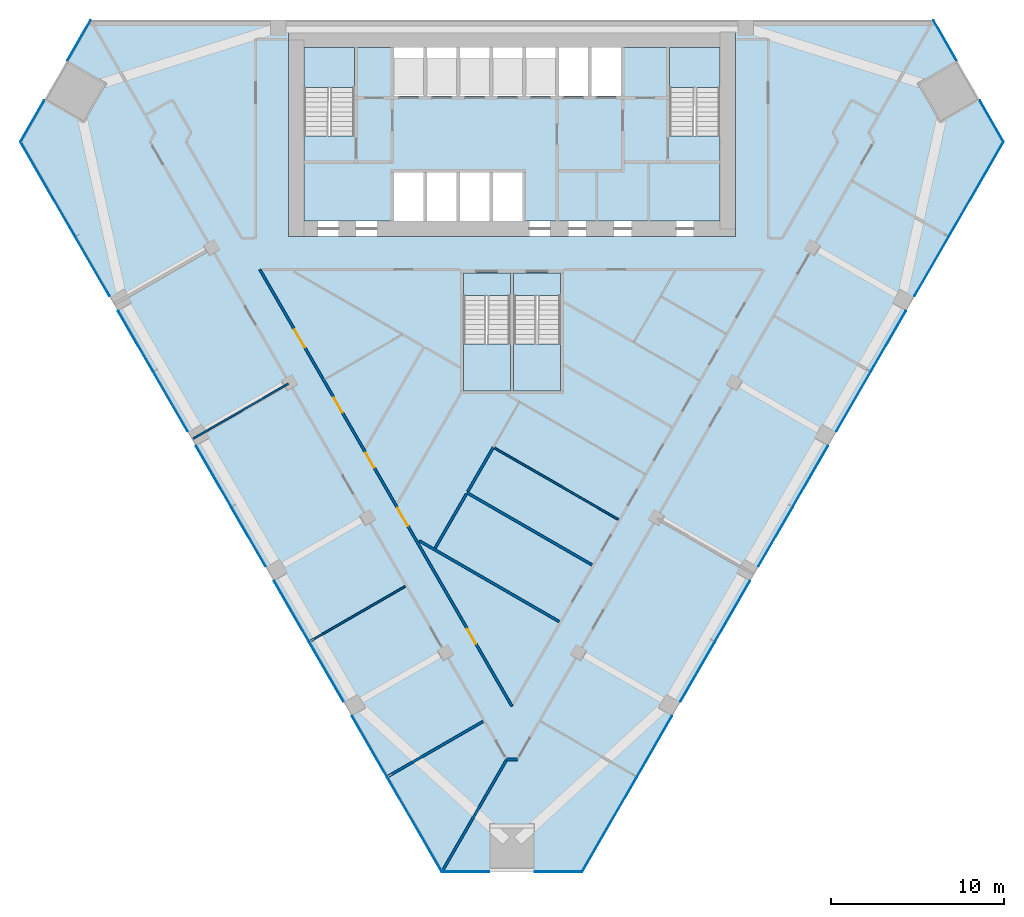
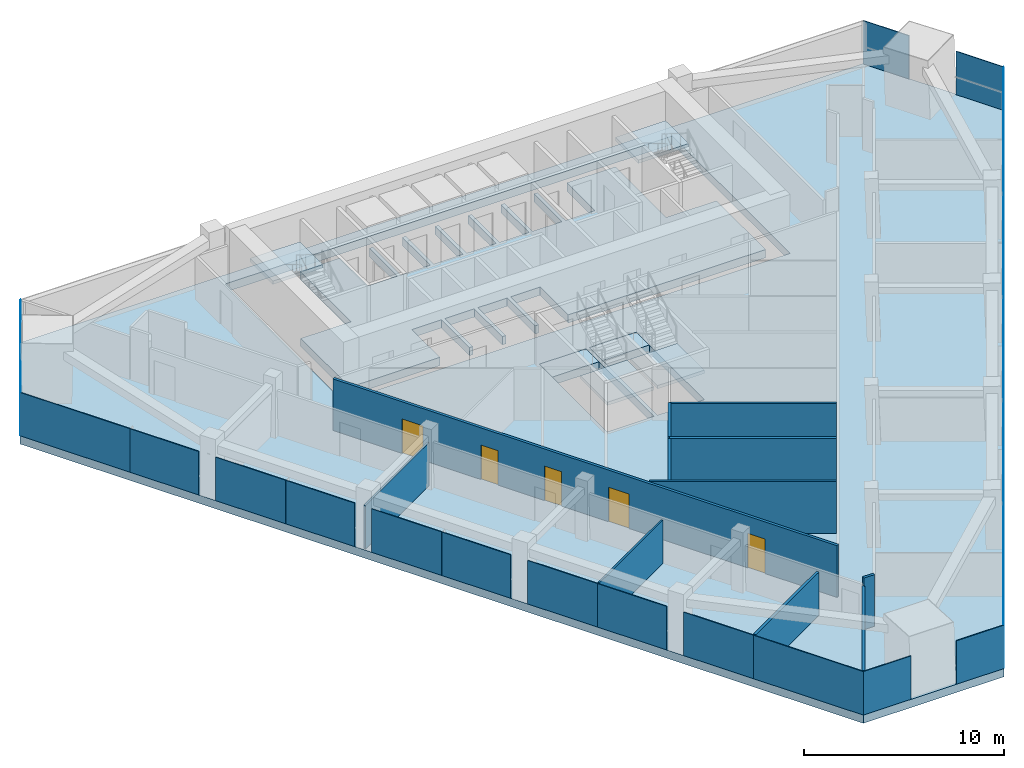
# One storey, part 8 of 14: 26 plates, 11 walls, 8 slabs, 5 doors, 5 openings, 9 elements without a shape of their own.
"""IFC4 building model written with IfcOpenShell, lengths in metres."""

from ifc_helpers import new_model, si_unit, direction, frame, frame_2d, origin, origin_2d, place, context, subcontext, project, spatial, polyline, rectangle, outline, extrude, material, layer, layer_set, type_object, element, fill, aggregate, save


model = new_model("IFC4")

# Units and contexts
model_context = context("Model", 3, precision=1e-05, world=origin(), true_north=direction((0.0, 1.0)))
body_context = subcontext(model_context, "Body", "Model", "MODEL_VIEW")
ifc_project = project(units=[si_unit("LENGTHUNIT", "METRE"), si_unit("AREAUNIT", "SQUARE_METRE"), si_unit("VOLUMEUNIT", "CUBIC_METRE"), si_unit("PLANEANGLEUNIT", "RADIAN"), si_unit("MASSUNIT", "GRAM", prefix="KILO")], contexts=[model_context])

# Site, building, storey
site_placement = place(None, origin())
site = spatial("IfcSite", under=ifc_project, at=site_placement, CompositionType="ELEMENT")
building_placement = place(site_placement, origin())
building = spatial("IfcBuilding", under=site, at=building_placement, Name="Altiplano Prism Tower", CompositionType="ELEMENT")
storey_placement = place(building_placement, frame((0.0, 0.0, 115.199951171875)))
storey = spatial("IfcBuildingStorey", under=building, at=storey_placement, Name="L29", CompositionType="ELEMENT", Elevation=115.199951171875)

# Curtain wall, plates
ifc_material_1 = material(Name="Aluminium and glass", Category="aluminium")
ifc_layer_1 = layer(ifc_material_1, 0.303955078125)
ifc_layer_set_1 = layer_set([ifc_layer_1], Name="Aluminium and glass")
curtain_wall_type = type_object("IfcCurtainWallType", Name="CW2 lounge-band unitised glazing", PredefinedType="NOTDEFINED", material=ifc_layer_set_1)
curtain_wall_1_placement = place(storey_placement, origin())
curtain_wall_1 = element("IfcCurtainWall", 1, at=curtain_wall_1_placement, inside=storey, type_object=curtain_wall_type, Name="CW2 curtain wall north-west chamfer L29", PredefinedType="NOTDEFINED")
ifc_material_2 = material(Name="Clear glass", Category="glass")
ifc_layer_2 = layer(ifc_material_2, 0.0439453125)
ifc_layer_set_2 = layer_set([ifc_layer_2], Name="Clear glass")
plate_type = type_object("IfcPlateType", Name="CW2 insulated glass unit 44", PredefinedType="CURTAIN_PANEL", material=ifc_layer_set_2)
plate_1_placement = place(storey_placement, frame((60.010498046875, 103.829833984375, 0.0), z_axis=(0.0, 0.0, 1.0), x_axis=(-0.50000004143, -0.866025379865, 0.0)))
plate_1 = element("IfcPlate", 2, at=plate_1_placement, type_object=plate_type, Name="CW2 panel", PredefinedType="CURTAIN_PANEL", context=body_context, shape_type="SweptSolid", body=[
    extrude(rectangle(XDim=2.667236328125, YDim=0.0439453125, at=origin_2d()), origin(), (0.0, 0.0, 1.0), 2.64990234375),
])
plate_2_placement = place(storey_placement, frame((57.311767578125, 99.15576171875, 0.0), z_axis=(0.0, 0.0, 1.0), x_axis=(-0.50000004143, -0.866025379865, 0.0)))
plate_2 = element("IfcPlate", 3, at=plate_2_placement, type_object=plate_type, Name="CW2 panel", PredefinedType="CURTAIN_PANEL", context=body_context, shape_type="SweptSolid", body=[
    extrude(rectangle(XDim=2.7470703125, YDim=0.0439453125, at=origin_2d()), origin(), (0.0, 0.0, 1.0), 2.64990234375),
])
aggregate(curtain_wall_1, [plate_1, plate_2])

curtain_wall_2_placement = place(storey_placement, origin())
curtain_wall_2 = element("IfcCurtainWall", 4, at=curtain_wall_2_placement, inside=storey, type_object=curtain_wall_type, Name="CW2 curtain wall south-west face L29", PredefinedType="NOTDEFINED")
plate_3_placement = place(storey_placement, frame((58.20751953125, 95.23876953125, 0.0), z_axis=(0.0, 0.0, 1.0), x_axis=(0.499999993198, -0.866025407711, 0.0)))
plate_3 = element("IfcPlate", 5, at=plate_3_placement, type_object=plate_type, Name="CW2 panel", PredefinedType="CURTAIN_PANEL", context=body_context, shape_type="SweptSolid", body=[
    extrude(rectangle(XDim=6.329345703125, YDim=0.0439453125, at=origin_2d()), origin(), (0.0, 0.0, 1.0), 2.64990234375),
])
plate_4_placement = place(storey_placement, frame((60.784912109375, 90.774658203125, 0.0), z_axis=(0.0, 0.0, 1.0), x_axis=(0.499999993198, -0.866025407711, 0.0)))
plate_4 = element("IfcPlate", 6, at=plate_4_placement, type_object=plate_type, Name="CW2 panel", PredefinedType="CURTAIN_PANEL", context=body_context, shape_type="SweptSolid", body=[
    extrude(rectangle(XDim=3.96044921875, YDim=0.0439453125, at=origin_2d()), origin(), (0.0, 0.0, 1.0), 2.64990234375),
])
plate_5_placement = place(storey_placement, frame((63.280029296875, 86.453125, 0.0), z_axis=(0.0, 0.0, 1.0), x_axis=(0.499999993198, -0.866025407711, 0.0)))
plate_5 = element("IfcPlate", 7, at=plate_5_placement, type_object=plate_type, Name="CW2 panel", PredefinedType="CURTAIN_PANEL", context=body_context, shape_type="SweptSolid", body=[
    extrude(rectangle(XDim=4.039306640625, YDim=0.0439453125, at=origin_2d()), origin(), (0.0, 0.0, 1.0), 2.64990234375),
])
plate_6_placement = place(storey_placement, frame((65.284912109375, 82.980224609375, 0.0), z_axis=(0.0, 0.0, 1.0), x_axis=(0.499999993198, -0.866025407711, 0.0)))
plate_6 = element("IfcPlate", 8, at=plate_6_placement, type_object=plate_type, Name="CW2 panel", PredefinedType="CURTAIN_PANEL", context=body_context, shape_type="SweptSolid", body=[
    extrude(rectangle(XDim=3.96044921875, YDim=0.0439453125, at=origin_2d()), origin(), (0.0, 0.0, 1.0), 2.64990234375),
])
plate_7_placement = place(storey_placement, frame((67.780029296875, 78.65869140625, 0.0), z_axis=(0.0, 0.0, 1.0), x_axis=(0.499999993198, -0.866025407711, 0.0)))
plate_7 = element("IfcPlate", 9, at=plate_7_placement, type_object=plate_type, Name="CW2 panel", PredefinedType="CURTAIN_PANEL", context=body_context, shape_type="SweptSolid", body=[
    extrude(rectangle(XDim=4.039306640625, YDim=0.0439453125, at=origin_2d()), origin(), (0.0, 0.0, 1.0), 2.64990234375),
])
plate_8_placement = place(storey_placement, frame((69.784912109375, 75.18603515625, 0.0), z_axis=(0.0, 0.0, 1.0), x_axis=(0.499999993198, -0.866025407711, 0.0)))
plate_8 = element("IfcPlate", 10, at=plate_8_placement, type_object=plate_type, Name="CW2 panel", PredefinedType="CURTAIN_PANEL", context=body_context, shape_type="SweptSolid", body=[
    extrude(rectangle(XDim=3.96044921875, YDim=0.0439453125, at=origin_2d()), origin(), (0.0, 0.0, 1.0), 2.64990234375),
])
plate_9_placement = place(storey_placement, frame((72.280029296875, 70.864501953125, 0.0), z_axis=(0.0, 0.0, 1.0), x_axis=(0.499999993198, -0.866025407711, 0.0)))
plate_9 = element("IfcPlate", 11, at=plate_9_placement, type_object=plate_type, Name="CW2 panel", PredefinedType="CURTAIN_PANEL", context=body_context, shape_type="SweptSolid", body=[
    extrude(rectangle(XDim=4.039306640625, YDim=0.0439453125, at=origin_2d()), origin(), (0.0, 0.0, 1.0), 2.64990234375),
])
plate_10_placement = place(storey_placement, frame((74.284912109375, 67.391845703125, 0.0), z_axis=(0.0, 0.0, 1.0), x_axis=(0.499999993198, -0.866025407711, 0.0)))
plate_10 = element("IfcPlate", 12, at=plate_10_placement, type_object=plate_type, Name="CW2 panel", PredefinedType="CURTAIN_PANEL", context=body_context, shape_type="SweptSolid", body=[
    extrude(rectangle(XDim=3.96044921875, YDim=0.0439453125, at=origin_2d()), origin(), (0.0, 0.0, 1.0), 2.64990234375),
])
plate_11_placement = place(storey_placement, frame((76.780029296875, 63.0703125, 0.0), z_axis=(0.0, 0.0, 1.0), x_axis=(0.499999993198, -0.866025407711, 0.0)))
plate_11 = element("IfcPlate", 13, at=plate_11_placement, type_object=plate_type, Name="CW2 panel", PredefinedType="CURTAIN_PANEL", context=body_context, shape_type="SweptSolid", body=[
    extrude(rectangle(XDim=4.039306640625, YDim=0.0439453125, at=origin_2d()), origin(), (0.0, 0.0, 1.0), 2.64990234375),
])
plate_12_placement = place(storey_placement, frame((79.377197265625, 58.572021484375, 0.0), z_axis=(0.0, 0.0, 1.0), x_axis=(0.499999993198, -0.866025407711, 0.0)))
plate_12 = element("IfcPlate", 14, at=plate_12_placement, type_object=plate_type, Name="CW2 panel", PredefinedType="CURTAIN_PANEL", context=body_context, shape_type="SweptSolid", body=[
    extrude(rectangle(XDim=6.329345703125, YDim=0.0439453125, at=origin_2d()), origin(), (0.0, 0.0, 1.0), 2.64990234375),
])
aggregate(curtain_wall_2, [plate_3, plate_4, plate_5, plate_6, plate_7, plate_8, plate_9, plate_10, plate_11, plate_12])

curtain_wall_3_placement = place(storey_placement, origin())
curtain_wall_3 = element("IfcCurtainWall", 15, at=curtain_wall_3_placement, inside=storey, type_object=curtain_wall_type, Name="CW2 curtain wall south chamfer L29", PredefinedType="NOTDEFINED")
plate_13_placement = place(storey_placement, frame((82.321533203125, 55.837890625, 0.0), z_axis=(0.0, 0.0, 1.0), x_axis=(1.0, 0.0, 0.0)))
plate_13 = element("IfcPlate", 16, at=plate_13_placement, type_object=plate_type, Name="CW2 panel", PredefinedType="CURTAIN_PANEL", context=body_context, shape_type="SweptSolid", body=[
    extrude(rectangle(XDim=2.7470703125, YDim=0.0439453125, at=origin_2d()), origin(), (0.0, 0.0, 1.0), 2.64990234375),
])
plate_14_placement = place(storey_placement, frame((87.678466796875, 55.837890625, 0.0), z_axis=(0.0, 0.0, 1.0), x_axis=(1.0, 0.0, 0.0)))
plate_14 = element("IfcPlate", 17, at=plate_14_placement, type_object=plate_type, Name="CW2 panel", PredefinedType="CURTAIN_PANEL", context=body_context, shape_type="SweptSolid", body=[
    extrude(rectangle(XDim=2.7470703125, YDim=0.0439453125, at=origin_2d()), origin(), (0.0, 0.0, 1.0), 2.64990234375),
])
aggregate(curtain_wall_3, [plate_13, plate_14])

curtain_wall_4_placement = place(storey_placement, origin())
curtain_wall_4 = element("IfcCurtainWall", 18, at=curtain_wall_4_placement, inside=storey, type_object=curtain_wall_type, Name="CW2 curtain wall south-east face L29", PredefinedType="NOTDEFINED")
plate_15_placement = place(storey_placement, frame((90.622802734375, 58.572021484375, 0.0), z_axis=(0.0, 0.0, 1.0), x_axis=(0.499999993198, 0.866025407711, 0.0)))
plate_15 = element("IfcPlate", 19, at=plate_15_placement, type_object=plate_type, Name="CW2 panel", PredefinedType="CURTAIN_PANEL", context=body_context, shape_type="SweptSolid", body=[
    extrude(rectangle(XDim=6.329345703125, YDim=0.0439453125, at=origin_2d()), origin(), (0.0, 0.0, 1.0), 2.64990234375),
])
plate_16_placement = place(storey_placement, frame((93.219970703125, 63.0703125, 0.0), z_axis=(0.0, 0.0, 1.0), x_axis=(0.499999993198, 0.866025407711, 0.0)))
plate_16 = element("IfcPlate", 20, at=plate_16_placement, type_object=plate_type, Name="CW2 panel", PredefinedType="CURTAIN_PANEL", context=body_context, shape_type="SweptSolid", body=[
    extrude(rectangle(XDim=4.039306640625, YDim=0.0439453125, at=origin_2d()), origin(), (0.0, 0.0, 1.0), 2.64990234375),
])
plate_17_placement = place(storey_placement, frame((95.715087890625, 67.391845703125, 0.0), z_axis=(0.0, 0.0, 1.0), x_axis=(0.499999993198, 0.866025407711, 0.0)))
plate_17 = element("IfcPlate", 21, at=plate_17_placement, type_object=plate_type, Name="CW2 panel", PredefinedType="CURTAIN_PANEL", context=body_context, shape_type="SweptSolid", body=[
    extrude(rectangle(XDim=3.96044921875, YDim=0.0439453125, at=origin_2d()), origin(), (0.0, 0.0, 1.0), 2.64990234375),
])
plate_18_placement = place(storey_placement, frame((97.719970703125, 70.864501953125, 0.0), z_axis=(0.0, 0.0, 1.0), x_axis=(0.499999993198, 0.866025407711, 0.0)))
plate_18 = element("IfcPlate", 22, at=plate_18_placement, type_object=plate_type, Name="CW2 panel", PredefinedType="CURTAIN_PANEL", context=body_context, shape_type="SweptSolid", body=[
    extrude(rectangle(XDim=4.039306640625, YDim=0.0439453125, at=origin_2d()), origin(), (0.0, 0.0, 1.0), 2.64990234375),
])
plate_19_placement = place(storey_placement, frame((100.215087890625, 75.18603515625, 0.0), z_axis=(0.0, 0.0, 1.0), x_axis=(0.499999993198, 0.866025407711, 0.0)))
plate_19 = element("IfcPlate", 23, at=plate_19_placement, type_object=plate_type, Name="CW2 panel", PredefinedType="CURTAIN_PANEL", context=body_context, shape_type="SweptSolid", body=[
    extrude(rectangle(XDim=3.96044921875, YDim=0.0439453125, at=origin_2d()), origin(), (0.0, 0.0, 1.0), 2.64990234375),
])
plate_20_placement = place(storey_placement, frame((102.219970703125, 78.65869140625, 0.0), z_axis=(0.0, 0.0, 1.0), x_axis=(0.499999993198, 0.866025407711, 0.0)))
plate_20 = element("IfcPlate", 24, at=plate_20_placement, type_object=plate_type, Name="CW2 panel", PredefinedType="CURTAIN_PANEL", context=body_context, shape_type="SweptSolid", body=[
    extrude(rectangle(XDim=4.039306640625, YDim=0.0439453125, at=origin_2d()), origin(), (0.0, 0.0, 1.0), 2.64990234375),
])
plate_21_placement = place(storey_placement, frame((104.715087890625, 82.980224609375, 0.0), z_axis=(0.0, 0.0, 1.0), x_axis=(0.499999993198, 0.866025407711, 0.0)))
plate_21 = element("IfcPlate", 25, at=plate_21_placement, type_object=plate_type, Name="CW2 panel", PredefinedType="CURTAIN_PANEL", context=body_context, shape_type="SweptSolid", body=[
    extrude(rectangle(XDim=3.96044921875, YDim=0.0439453125, at=origin_2d()), origin(), (0.0, 0.0, 1.0), 2.64990234375),
])
plate_22_placement = place(storey_placement, frame((106.719970703125, 86.453125, 0.0), z_axis=(0.0, 0.0, 1.0), x_axis=(0.499999993198, 0.866025407711, 0.0)))
plate_22 = element("IfcPlate", 26, at=plate_22_placement, type_object=plate_type, Name="CW2 panel", PredefinedType="CURTAIN_PANEL", context=body_context, shape_type="SweptSolid", body=[
    extrude(rectangle(XDim=4.039306640625, YDim=0.0439453125, at=origin_2d()), origin(), (0.0, 0.0, 1.0), 2.64990234375),
])
plate_23_placement = place(storey_placement, frame((109.215087890625, 90.774658203125, 0.0), z_axis=(0.0, 0.0, 1.0), x_axis=(0.499999993198, 0.866025407711, 0.0)))
plate_23 = element("IfcPlate", 27, at=plate_23_placement, type_object=plate_type, Name="CW2 panel", PredefinedType="CURTAIN_PANEL", context=body_context, shape_type="SweptSolid", body=[
    extrude(rectangle(XDim=3.96044921875, YDim=0.0439453125, at=origin_2d()), origin(), (0.0, 0.0, 1.0), 2.64990234375),
])
plate_24_placement = place(storey_placement, frame((111.79248046875, 95.23876953125, 0.0), z_axis=(0.0, 0.0, 1.0), x_axis=(0.499999993198, 0.866025407711, 0.0)))
plate_24 = element("IfcPlate", 28, at=plate_24_placement, type_object=plate_type, Name="CW2 panel", PredefinedType="CURTAIN_PANEL", context=body_context, shape_type="SweptSolid", body=[
    extrude(rectangle(XDim=6.329345703125, YDim=0.0439453125, at=origin_2d()), origin(), (0.0, 0.0, 1.0), 2.64990234375),
])
aggregate(curtain_wall_4, [plate_15, plate_16, plate_17, plate_18, plate_19, plate_20, plate_21, plate_22, plate_23, plate_24])

curtain_wall_5_placement = place(storey_placement, origin())
curtain_wall_5 = element("IfcCurtainWall", 29, at=curtain_wall_5_placement, inside=storey, type_object=curtain_wall_type, Name="CW2 curtain wall north-east chamfer L29", PredefinedType="NOTDEFINED")
plate_25_placement = place(storey_placement, frame((112.688232421875, 99.15576171875, 0.0), z_axis=(0.0, 0.0, 1.0), x_axis=(-0.50000004143, 0.866025379865, 0.0)))
plate_25 = element("IfcPlate", 30, at=plate_25_placement, type_object=plate_type, Name="CW2 panel", PredefinedType="CURTAIN_PANEL", context=body_context, shape_type="SweptSolid", body=[
    extrude(rectangle(XDim=2.7470703125, YDim=0.0439453125, at=origin_2d()), origin(), (0.0, 0.0, 1.0), 2.64990234375),
])
plate_26_placement = place(storey_placement, frame((109.989501953125, 103.829833984375, 0.0), z_axis=(0.0, 0.0, 1.0), x_axis=(-0.50000004143, 0.866025379865, 0.0)))
plate_26 = element("IfcPlate", 31, at=plate_26_placement, type_object=plate_type, Name="CW2 panel", PredefinedType="CURTAIN_PANEL", context=body_context, shape_type="SweptSolid", body=[
    extrude(rectangle(XDim=2.667236328125, YDim=0.0439453125, at=origin_2d()), origin(), (0.0, 0.0, 1.0), 2.64990234375),
])
aggregate(curtain_wall_5, [plate_25, plate_26])

# Slabs
ifc_material_3 = material(Name="Concrete C40/50", Category="concrete")
ifc_layer_3 = layer(ifc_material_3, 0.5)
ifc_layer_set_3 = layer_set([ifc_layer_3], Name="Concrete C40/50")
slab_type_1 = type_object("IfcSlabType", Name="Core floor slab 500", PredefinedType="FLOOR", material=ifc_layer_set_3)
slab_1_placement = place(storey_placement, frame((0.0, 0.0, -0.5)))
element("IfcSlab", 32, at=slab_1_placement, inside=storey, type_object=slab_type_1, Name="Core floor slab L29", PredefinedType="FLOOR", context=body_context, shape_type="SweptSolid", body=[
    extrude(outline(polyline([(97.0, 98.31005859375), (94.10009765625, 98.31005859375), (94.10009765625, 103.39990234375), (91.300048828125, 103.39990234375), (91.300048828125, 100.60009765625), (89.60009765625, 100.60009765625), (89.60009765625, 103.39990234375), (89.39990234375, 103.39990234375), (89.39990234375, 100.60009765625), (87.699951171875, 100.60009765625), (87.699951171875, 103.39990234375), (87.5, 103.39990234375), (87.5, 100.60009765625), (85.800048828125, 100.60009765625), (85.800048828125, 103.39990234375), (85.60009765625, 103.39990234375), (85.60009765625, 100.60009765625), (83.89990234375, 100.60009765625), (83.89990234375, 103.39990234375), (83.699951171875, 103.39990234375), (83.699951171875, 100.60009765625), (82.0, 100.60009765625), (82.0, 103.39990234375), (81.800048828125, 103.39990234375), (81.800048828125, 100.60009765625), (80.10009765625, 100.60009765625), (80.10009765625, 103.39990234375), (79.89990234375, 103.39990234375), (79.89990234375, 100.60009765625), (78.199951171875, 100.60009765625), (78.199951171875, 103.39990234375), (75.89990234375, 103.39990234375), (75.89990234375, 98.31005859375), (73.0, 98.31005859375), (73.0, 93.39990234375), (78.199951171875, 93.39990234375), (78.199951171875, 96.199951171875), (79.89990234375, 96.199951171875), (79.89990234375, 93.39990234375), (80.10009765625, 93.39990234375), (80.10009765625, 96.199951171875), (81.800048828125, 96.199951171875), (81.800048828125, 93.39990234375), (82.0, 93.39990234375), (82.0, 96.199951171875), (83.699951171875, 96.199951171875), (83.699951171875, 93.39990234375), (83.89990234375, 93.39990234375), (83.89990234375, 96.199951171875), (85.60009765625, 96.199951171875), (85.60009765625, 93.39990234375), (97.0, 93.39990234375), (97.0, 98.31005859375)])), origin(), (0.0, 0.0, 1.0), 0.5),
])
slab_2_placement = place(storey_placement, frame((0.0, 0.0, -0.5)))
element("IfcSlab", 33, at=slab_2_placement, inside=storey, type_object=slab_type_1, Name="Stair 3A landing slab L29", PredefinedType="FLOOR", context=body_context, shape_type="SweptSolid", body=[
    extrude(outline(polyline([(82.199951171875, 89.096923828125), (84.89990234375, 89.096923828125), (84.89990234375, 90.39990234375), (82.199951171875, 90.39990234375), (82.199951171875, 89.096923828125)])), origin(), (0.0, 0.0, 1.0), 0.5),
])
slab_3_placement = place(storey_placement, frame((0.0, 0.0, -0.5)))
element("IfcSlab", 34, at=slab_3_placement, inside=storey, type_object=slab_type_1, Name="Stair 3B landing slab L29", PredefinedType="FLOOR", context=body_context, shape_type="SweptSolid", body=[
    extrude(outline(polyline([(85.10009765625, 89.096923828125), (87.800048828125, 89.096923828125), (87.800048828125, 90.39990234375), (85.10009765625, 90.39990234375), (85.10009765625, 89.096923828125)])), origin(), (0.0, 0.0, 1.0), 0.5),
])
ifc_layer_4 = layer(ifc_material_3, 0.5)
ifc_layer_set_4 = layer_set([ifc_layer_4], Name="Concrete C40/50")
slab_type_2 = type_object("IfcSlabType", Name="Post-tensioned flat slab 500", PredefinedType="FLOOR", material=ifc_layer_set_4)
slab_4_placement = place(storey_placement, frame((0.0, 0.0, -0.5)))
element("IfcSlab", 35, at=slab_4_placement, inside=storey, type_object=slab_type_2, Name="Floor slab L29", PredefinedType="FLOOR", context=body_context, shape_type="SweptSolid", body=[
    extrude(outline(polyline([(80.94287109375, 55.81591796875), (56.603515625, 97.972900390625), (60.66064453125, 105.0), (109.33935546875, 105.0), (113.396484375, 97.972900390625), (89.05712890625, 55.81591796875), (80.94287109375, 55.81591796875)]), holes=[polyline([(72.10009765625, 104.300048828125), (72.10009765625, 92.5), (97.89990234375, 92.5), (97.89990234375, 104.300048828125), (72.10009765625, 104.300048828125)]), polyline([(84.89990234375, 90.39990234375), (82.199951171875, 90.39990234375), (82.199951171875, 83.60009765625), (84.89990234375, 83.60009765625), (84.89990234375, 90.39990234375)]), polyline([(87.800048828125, 83.60009765625), (87.800048828125, 90.39990234375), (85.10009765625, 90.39990234375), (85.10009765625, 83.60009765625), (87.800048828125, 83.60009765625)])]), origin(), (0.0, 0.0, 1.0), 0.5),
])

# Stair, slab
stair_type_1 = type_object("IfcStairType", Name="Exit stair 1400", PredefinedType="HALF_TURN_STAIR", material=ifc_material_3)
stair_1_placement = place(storey_placement, origin())
stair_1 = element("IfcStair", 36, at=stair_1_placement, inside=storey, type_object=stair_type_1, Name="L29 Exit Stair 1", PredefinedType="HALF_TURN_STAIR")
ifc_layer_5 = layer(ifc_material_3, 0.199951171875)
ifc_layer_set_5 = layer_set([ifc_layer_5], Name="Concrete C40/50")
slab_type_3 = type_object("IfcSlabType", Name="Stair landing 200", PredefinedType="LANDING", material=ifc_layer_set_5)
slab_5_placement = place(storey_placement, frame((0.0, 0.0, 1.60009765625)))
slab_5 = element("IfcSlab", 37, at=slab_5_placement, type_object=slab_type_3, Name="ST1 landing 1", PredefinedType="LANDING", context=body_context, shape_type="SweptSolid", body=[
    extrude(outline(polyline([(75.89990234375, 101.096923828125), (75.89990234375, 103.39990234375), (73.0, 103.39990234375), (73.0, 101.096923828125), (75.89990234375, 101.096923828125)])), origin(), (0.0, 0.0, 1.0), 0.199951171875),
])
aggregate(stair_1, [slab_5])

stair_2_placement = place(storey_placement, origin())
stair_2 = element("IfcStair", 38, at=stair_2_placement, inside=storey, type_object=stair_type_1, Name="L29 Exit Stair 2", PredefinedType="HALF_TURN_STAIR")
slab_6_placement = place(storey_placement, frame((0.0, 0.0, 1.60009765625)))
slab_6 = element("IfcSlab", 39, at=slab_6_placement, type_object=slab_type_3, Name="ST2 landing 1", PredefinedType="LANDING", context=body_context, shape_type="SweptSolid", body=[
    extrude(outline(polyline([(97.0, 101.096923828125), (97.0, 103.39990234375), (94.10009765625, 103.39990234375), (94.10009765625, 101.096923828125), (97.0, 101.096923828125)])), origin(), (0.0, 0.0, 1.0), 0.199951171875),
])
aggregate(stair_2, [slab_6])

stair_type_2 = type_object("IfcStairType", Name="Exit stair 1300", PredefinedType="HALF_TURN_STAIR", material=ifc_material_3)
stair_3_placement = place(storey_placement, origin())
stair_3 = element("IfcStair", 40, at=stair_3_placement, inside=storey, type_object=stair_type_2, Name="L29 Exit Stair 3A", PredefinedType="HALF_TURN_STAIR")
slab_7_placement = place(storey_placement, frame((0.0, 0.0, 1.60009765625)))
slab_7 = element("IfcSlab", 41, at=slab_7_placement, type_object=slab_type_3, Name="ST3A landing 1", PredefinedType="LANDING", context=body_context, shape_type="SweptSolid", body=[
    extrude(outline(polyline([(82.199951171875, 86.302978515625), (82.199951171875, 83.60009765625), (84.89990234375, 83.60009765625), (84.89990234375, 86.302978515625), (82.199951171875, 86.302978515625)])), origin(), (0.0, 0.0, 1.0), 0.199951171875),
])
aggregate(stair_3, [slab_7])

stair_4_placement = place(storey_placement, origin())
stair_4 = element("IfcStair", 42, at=stair_4_placement, inside=storey, type_object=stair_type_2, Name="L29 Exit Stair 3B", PredefinedType="HALF_TURN_STAIR")
slab_8_placement = place(storey_placement, frame((0.0, 0.0, 1.60009765625)))
slab_8 = element("IfcSlab", 43, at=slab_8_placement, type_object=slab_type_3, Name="ST3B landing 1", PredefinedType="LANDING", context=body_context, shape_type="SweptSolid", body=[
    extrude(outline(polyline([(85.10009765625, 86.302978515625), (85.10009765625, 83.60009765625), (87.800048828125, 83.60009765625), (87.800048828125, 86.302978515625), (85.10009765625, 86.302978515625)])), origin(), (0.0, 0.0, 1.0), 0.199951171875),
])
aggregate(stair_4, [slab_8])

# Walls
ifc_material_4 = material(Name="Plasterboard on steel stud", Category="steel")
ifc_layer_6 = layer(ifc_material_4, 0.10009765625)
ifc_layer_set_6 = layer_set([ifc_layer_6], Name="Plasterboard on steel stud")
wall_type_1 = type_object("IfcWallType", Name="Partition 100 wet", PredefinedType="PARTITIONING", material=ifc_layer_set_6)
for number, where, z_axis, x_axis, name in (
    (44, (66.60986328125, 80.841552734375, 0.0), (0.0, 0.0, 1.0), (0.866032601554, 0.49998753289, 0.0), "Partition P03 L29 035"),
    (45, (73.35986328125, 69.150146484375, 0.0), (0.0, 0.0, 1.0), (0.866015887322, 0.500016482634, 0.0), "Partition P03 L29 036"),
):
    element("IfcWall", number, at=place(storey_placement, frame(where, z_axis=z_axis, x_axis=x_axis)), inside=storey, type_object=wall_type_1, Name=name, PredefinedType="PARTITIONING", context=body_context, shape_type="SweptSolid", body=[
        extrude(rectangle(XDim=6.324951171875, YDim=0.10009765625, at=frame_2d((3.16259765625, 0.0))), origin(), (0.0, 0.0, 1.0), 2.650146484375),
    ])
wall_1_placement = place(storey_placement, frame((83.922119140625, 80.33740234375, 0.0), z_axis=(0.0, 0.0, 1.0), x_axis=(0.866016767205, -0.500014958696, 0.0)))
element("IfcWall", 46, at=wall_1_placement, inside=storey, type_object=wall_type_1, Name="Partition P03 L29 054", PredefinedType="PARTITIONING", context=body_context, shape_type="SweptSolid", body=[
    extrude(rectangle(XDim=8.332763671875, YDim=0.10009765625, at=frame_2d((4.16650390625, 0.0))), origin(), (0.0, 0.0, 1.0), 3.150146484375),
])
ifc_layer_7 = layer(ifc_material_4, 0.14990234375)
ifc_layer_set_7 = layer_set([ifc_layer_7], Name="Plasterboard on steel stud")
wall_type_2 = type_object("IfcWallType", Name="Partition 150 corridor", PredefinedType="PARTITIONING", material=ifc_layer_set_7)
wall_2_placement = place(storey_placement, frame((84.695556640625, 62.31591796875, 0.0), z_axis=(0.0, 0.0, 1.0), x_axis=(1.0, 0.0, 0.0)))
element("IfcWall", 47, at=wall_2_placement, inside=storey, type_object=wall_type_2, Name="Partition P06 L29 006", PredefinedType="PARTITIONING", context=body_context, shape_type="SweptSolid", body=[
    extrude(rectangle(XDim=0.60888671875, YDim=0.14990234375, at=frame_2d((0.304443359375, 0.0))), origin(), (0.0, 0.0, 1.0), 3.150146484375),
])

# Wall, openings, doors
wall_3_placement = place(storey_placement, frame((85.0, 65.388671875, 0.0), z_axis=(0.0, 0.0, 1.0), x_axis=(-0.499995893406, 0.866027774715, 0.0)))
wall_3 = element("IfcWall", 48, at=wall_3_placement, inside=storey, type_object=wall_type_2, Name="Partition P06 L29 025", PredefinedType="PARTITIONING", context=body_context, shape_type="SweptSolid", body=[
    extrude(rectangle(XDim=29.111572265625, YDim=0.14990234375, at=frame_2d((14.5556640625, 0.0))), origin(), (0.0, 0.0, 1.0), 3.150146484375),
])
opening_1_placement = place(wall_3_placement, frame((19.56396484375, 0.0, 0.0)))
opening_1 = element("IfcOpeningElement", 49, at=opening_1_placement, cuts=wall_3, Name="Opening D1047", PredefinedType="OPENING", context=body_context, shape_type="SweptSolid", body=[
    extrude(rectangle(XDim=1.0, YDim=2.10009765625, at=frame_2d((0.5, 1.050048828125))), frame((0.0, 0.08544921875, 0.0), z_axis=(0.0, -1.0, 0.0), x_axis=(1.0, 0.0, 0.0)), (0.0, 0.0, 1.0), 0.1708984375),
])
opening_2_placement = place(wall_3_placement, frame((12.011962890625, 0.0, 0.0)))
opening_2 = element("IfcOpeningElement", 50, at=opening_2_placement, cuts=wall_3, Name="Opening D1062", PredefinedType="OPENING", context=body_context, shape_type="SweptSolid", body=[
    extrude(rectangle(XDim=1.199951171875, YDim=2.10009765625, at=frame_2d((0.60009765625, 1.050048828125))), frame((0.0, 0.08544921875, 0.0), z_axis=(0.0, -1.0, 0.0), x_axis=(1.0, 0.0, 0.0)), (0.0, 0.0, 1.0), 0.1708984375),
])
opening_3_placement = place(wall_3_placement, frame((4.1640625, 0.0, 0.0)))
opening_3 = element("IfcOpeningElement", 51, at=opening_3_placement, cuts=wall_3, Name="Opening D1064", PredefinedType="OPENING", context=body_context, shape_type="SweptSolid", body=[
    extrude(rectangle(XDim=1.0, YDim=2.10009765625, at=frame_2d((0.5, 1.050048828125))), frame((0.0, 0.08544921875, 0.0), z_axis=(0.0, -1.0, 0.0), x_axis=(1.0, 0.0, 0.0)), (0.0, 0.0, 1.0), 0.1708984375),
])
opening_4_placement = place(wall_3_placement, frame((15.89892578125, 0.0, 0.0)))
opening_4 = element("IfcOpeningElement", 52, at=opening_4_placement, cuts=wall_3, Name="Opening D1068", PredefinedType="OPENING", context=body_context, shape_type="SweptSolid", body=[
    extrude(rectangle(XDim=1.0, YDim=2.10009765625, at=frame_2d((0.5, 1.050048828125))), frame((0.0, 0.08544921875, 0.0), z_axis=(0.0, -1.0, 0.0), x_axis=(1.0, 0.0, 0.0)), (0.0, 0.0, 1.0), 0.1708984375),
])
opening_5_placement = place(wall_3_placement, frame((23.9140625, 0.0, 0.0)))
opening_5 = element("IfcOpeningElement", 53, at=opening_5_placement, cuts=wall_3, Name="Opening D1070", PredefinedType="OPENING", context=body_context, shape_type="SweptSolid", body=[
    extrude(rectangle(XDim=1.199951171875, YDim=2.10009765625, at=frame_2d((0.60009765625, 1.050048828125))), frame((0.0, 0.08544921875, 0.0), z_axis=(0.0, -1.0, 0.0), x_axis=(1.0, 0.0, 0.0)), (0.0, 0.0, 1.0), 0.1708984375),
])
ifc_material_5 = material(Name="Timber", Category="wood")
door_type_1 = type_object("IfcDoorType", Name="Room door 1000 x 2100", OperationType="NOTDEFINED", PredefinedType="NOTDEFINED", material=ifc_material_5)
door_1_placement = place(opening_4_placement, origin())
door_1 = element("IfcDoor", 54, at=door_1_placement, inside=storey, type_object=door_type_1, Name="Door D1068", OperationType="SINGLE_SWING_RIGHT", OverallHeight=2.10009765625, OverallWidth=1.0, PredefinedType="NOTDEFINED", context=body_context, shape_type="SweptSolid", body=[
    extrude(rectangle(XDim=1.0, YDim=2.10009765625, at=frame_2d((0.5, 1.050048828125))), frame((0.0, 0.02490234375, 0.0), z_axis=(0.0, -1.0, 0.0), x_axis=(1.0, 0.0, 0.0)), (0.0, 0.0, 1.0), 0.050048828125),
])
fill(opening_4, door_1)
door_type_2 = type_object("IfcDoorType", Name="Shared room door 1200 x 2100", OperationType="NOTDEFINED", PredefinedType="NOTDEFINED", material=ifc_material_5)
door_2_placement = place(opening_2_placement, origin())
door_2 = element("IfcDoor", 55, at=door_2_placement, inside=storey, type_object=door_type_2, Name="Door D1062", OperationType="SINGLE_SWING_LEFT", OverallHeight=2.10009765625, OverallWidth=1.199951171875, PredefinedType="NOTDEFINED", context=body_context, shape_type="SweptSolid", body=[
    extrude(rectangle(XDim=1.199951171875, YDim=2.10009765625, at=frame_2d((0.60009765625, 1.050048828125))), frame((0.0, 0.02490234375, 0.0), z_axis=(0.0, -1.0, 0.0), x_axis=(1.0, 0.0, 0.0)), (0.0, 0.0, 1.0), 0.050048828125),
])
fill(opening_2, door_2)
door_3_placement = place(opening_5_placement, origin())
door_3 = element("IfcDoor", 56, at=door_3_placement, inside=storey, type_object=door_type_2, Name="Door D1070", OperationType="SINGLE_SWING_RIGHT", OverallHeight=2.10009765625, OverallWidth=1.199951171875, PredefinedType="NOTDEFINED", context=body_context, shape_type="SweptSolid", body=[
    extrude(rectangle(XDim=1.199951171875, YDim=2.10009765625, at=frame_2d((0.60009765625, 1.050048828125))), frame((0.0, 0.02490234375, 0.0), z_axis=(0.0, -1.0, 0.0), x_axis=(1.0, 0.0, 0.0)), (0.0, 0.0, 1.0), 0.050048828125),
])
fill(opening_5, door_3)
door_type_3 = type_object("IfcDoorType", Name="Store door 1000 x 2100", OperationType="NOTDEFINED", PredefinedType="NOTDEFINED", material=ifc_material_5)
door_4_placement = place(opening_1_placement, origin())
door_4 = element("IfcDoor", 57, at=door_4_placement, inside=storey, type_object=door_type_3, Name="Door D1047", OperationType="SINGLE_SWING_RIGHT", OverallHeight=2.10009765625, OverallWidth=1.0, PredefinedType="NOTDEFINED", context=body_context, shape_type="SweptSolid", body=[
    extrude(rectangle(XDim=1.0, YDim=2.10009765625, at=frame_2d((0.5, 1.050048828125))), frame((0.0, 0.02490234375, 0.0), z_axis=(0.0, -1.0, 0.0), x_axis=(1.0, 0.0, 0.0)), (0.0, 0.0, 1.0), 0.050048828125),
])
fill(opening_1, door_4)
door_5_placement = place(opening_3_placement, origin())
door_5 = element("IfcDoor", 58, at=door_5_placement, inside=storey, type_object=door_type_3, Name="Door D1064", OperationType="SINGLE_SWING_LEFT", OverallHeight=2.10009765625, OverallWidth=1.0, PredefinedType="NOTDEFINED", context=body_context, shape_type="SweptSolid", body=[
    extrude(rectangle(XDim=1.0, YDim=2.10009765625, at=frame_2d((0.5, 1.050048828125))), frame((0.0, 0.02490234375, 0.0), z_axis=(0.0, -1.0, 0.0), x_axis=(1.0, 0.0, 0.0)), (0.0, 0.0, 1.0), 0.050048828125),
])
fill(opening_3, door_5)

# Walls
ifc_layer_8 = layer(ifc_material_4, 0.14990234375)
ifc_layer_set_8 = layer_set([ifc_layer_8], Name="Plasterboard on steel stud")
wall_type_3 = type_object("IfcWallType", Name="Partition 150 party", PredefinedType="PARTITIONING", material=ifc_layer_set_8)
wall_4_placement = place(storey_placement, frame((77.85986328125, 61.35595703125, 0.0), z_axis=(0.0, 0.0, 1.0), x_axis=(0.866015887322, 0.500016482634, 0.0)))
element("IfcWall", 59, at=wall_4_placement, inside=storey, type_object=wall_type_3, Name="Partition P01 L29 037", PredefinedType="PARTITIONING", context=body_context, shape_type="SweptSolid", body=[
    extrude(rectangle(XDim=6.324951171875, YDim=0.14990234375, at=frame_2d((3.16259765625, 0.0))), origin(), (0.0, 0.0, 1.0), 2.650146484375),
])
wall_5_placement = place(storey_placement, frame((80.98828125, 55.89453125, 0.0), z_axis=(0.0, 0.0, 1.0), x_axis=(0.499988472886, 0.866032058864, 0.0)))
element("IfcWall", 60, at=wall_5_placement, inside=storey, type_object=wall_type_3, Name="Partition P01 L29 038", PredefinedType="PARTITIONING", context=body_context, shape_type="SweptSolid", body=[
    extrude(rectangle(XDim=7.414794921875, YDim=0.14990234375, at=frame_2d((3.70751953125, 0.0))), origin(), (0.0, 0.0, 1.0), 2.650146484375),
])
wall_6_placement = place(storey_placement, frame((82.3701171875, 77.649169921875, 0.0), z_axis=(0.0, 0.0, 1.0), x_axis=(-0.500036737467, -0.866004192359, 0.0)))
element("IfcWall", 61, at=wall_6_placement, inside=storey, type_object=wall_type_3, Name="Partition P01 L29 044", PredefinedType="PARTITIONING", context=body_context, shape_type="SweptSolid", body=[
    extrude(rectangle(XDim=3.631103515625, YDim=0.14990234375, at=frame_2d((1.8154296875, 0.0))), origin(), (0.0, 0.0, 1.0), 3.150146484375),
])
wall_7_placement = place(storey_placement, frame((79.6455078125, 74.94287109375, 0.0), z_axis=(0.0, 0.0, 1.0), x_axis=(0.866019287913, -0.50001059285, 0.0)))
element("IfcWall", 62, at=wall_7_placement, inside=storey, type_object=wall_type_3, Name="Partition P01 L29 045", PredefinedType="PARTITIONING", context=body_context, shape_type="SweptSolid", body=[
    extrude(rectangle(XDim=9.339111328125, YDim=0.14990234375, at=frame_2d((4.66943359375, 0.0))), origin(), (0.0, 0.0, 1.0), 3.150146484375),
])
wall_8_placement = place(storey_placement, frame((89.6240234375, 73.547607421875, 0.0), z_axis=(0.0, 0.0, 1.0), x_axis=(-0.866024092089, 0.500002271917, 0.0)))
element("IfcWall", 63, at=wall_8_placement, inside=storey, type_object=wall_type_3, Name="Partition P01 L29 046", PredefinedType="PARTITIONING", context=body_context, shape_type="SweptSolid", body=[
    extrude(rectangle(XDim=8.3330078125, YDim=0.14990234375, at=frame_2d((4.16650390625, 0.0))), origin(), (0.0, 0.0, 1.0), 3.150146484375),
])
wall_9_placement = place(storey_placement, frame((82.445068359375, 77.779052734375, 0.0), z_axis=(0.0, 0.0, 1.0), x_axis=(0.49999668571, 0.866027317282, 0.0)))
element("IfcWall", 64, at=wall_9_placement, inside=storey, type_object=wall_type_3, Name="Partition P01 L29 048", PredefinedType="PARTITIONING", context=body_context, shape_type="SweptSolid", body=[
    extrude(rectangle(XDim=2.9541015625, YDim=0.14990234375, at=frame_2d((1.47705078125, 0.0))), origin(), (0.0, 0.0, 1.0), 3.150146484375),
])

save(model, "model.ifc")
